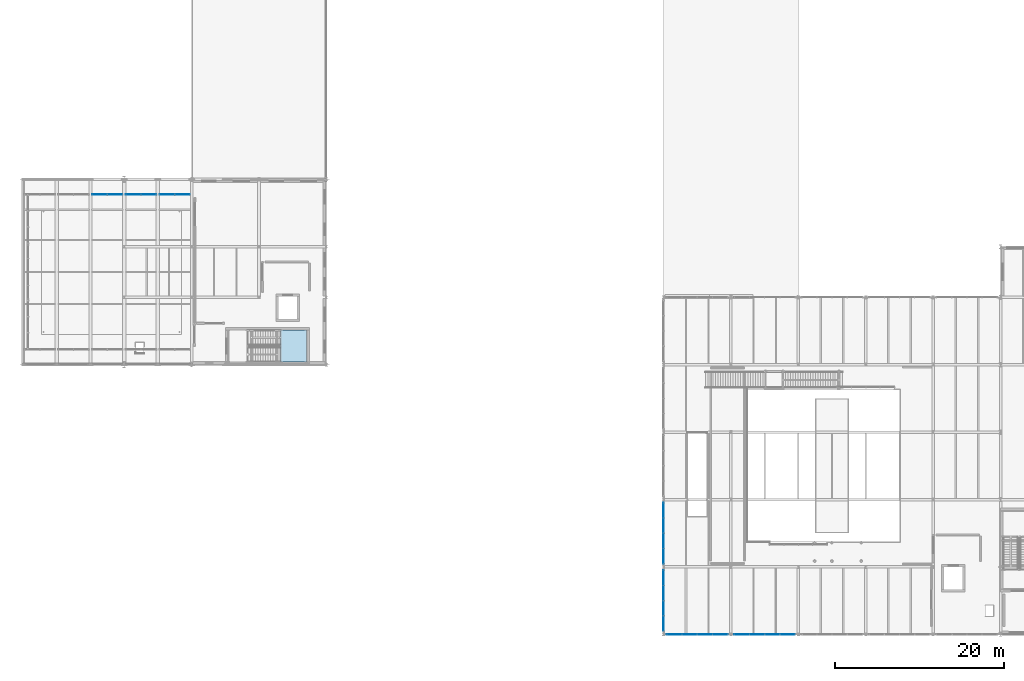
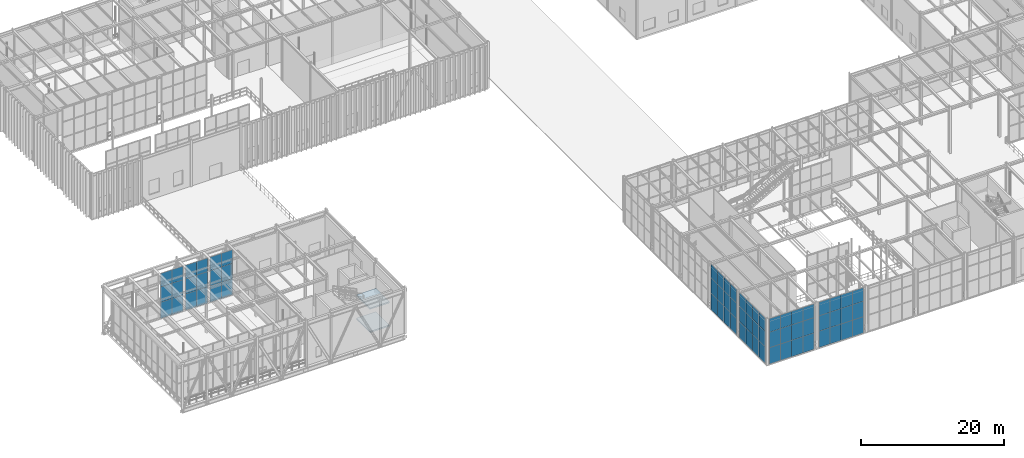
# One storey, part 74 of 138: 66 plates, 2 slabs, 8 elements without a shape of their own.
"""IFC4 building model written with IfcOpenShell, lengths in metres."""

from ifc_helpers import new_model, si_unit, direction, frame, origin, origin_2d, place, context, subcontext, project, spatial, polyline, rectangle, outline, extrude, material, layer, layer_set, type_object, element, aggregate, save


model = new_model("IFC4")

# Units and contexts
model_context = context("Model", 3, precision=1e-05, world=origin(), true_north=direction((0.0, 1.0)))
body_context = subcontext(model_context, "Body", "Model", "MODEL_VIEW")
ifc_project = project(units=[si_unit("LENGTHUNIT", "METRE"), si_unit("AREAUNIT", "SQUARE_METRE"), si_unit("VOLUMEUNIT", "CUBIC_METRE"), si_unit("PLANEANGLEUNIT", "RADIAN"), si_unit("MASSUNIT", "GRAM", prefix="KILO")], contexts=[model_context])

# Site, building, storey
site_placement = place(None, origin())
site = spatial("IfcSite", under=ifc_project, at=site_placement, CompositionType="ELEMENT")
building_placement = place(site_placement, origin())
building = spatial("IfcBuilding", under=site, at=building_placement, Name="Sundkrona Museum", CompositionType="ELEMENT")
storey_placement = place(building_placement, frame((0.0, 0.0, 9.60009765625)))
storey = spatial("IfcBuildingStorey", under=building, at=storey_placement, Name="L02", CompositionType="ELEMENT", Elevation=9.60009765625)

# Curtain wall, plates
ifc_material_1 = material(Name="Unitised Aluminium-Steel and Ceramic-Clad Curtain Walling", Category="steel")
curtain_wall_type_1 = type_object("IfcCurtainWallType", Name="CW-AT-72x74", PredefinedType="NOTDEFINED", material=ifc_material_1)
curtain_wall_1_placement = place(storey_placement, origin())
curtain_wall_1 = element("IfcCurtainWall", 1, at=curtain_wall_1_placement, inside=storey, type_object=curtain_wall_type_1, Name="L02 Curtain Wall CW-L02-043", PredefinedType="NOTDEFINED")
ifc_material_2 = material(Name="Triple Low-E Vision Glazing 32 mm", Category="glass")
ifc_layer_1 = layer(ifc_material_2, 0.031982421875)
ifc_layer_set_1 = layer_set([ifc_layer_1], Name="Triple Low-E Vision Glazing 32 mm")
plate_type = type_object("IfcPlateType", Name="PN-GL-01", PredefinedType="CURTAIN_PANEL", material=ifc_layer_set_1)
plate_1_placement = place(storey_placement, frame((81.300048828125, 0.0, -0.004150390625), z_axis=(0.0, 0.0, 1.0), x_axis=(1.0, 0.0, 0.0)))
plate_1 = element("IfcPlate", 2, at=plate_1_placement, type_object=plate_type, Name="CW-L02-043 Panel 01", PredefinedType="CURTAIN_PANEL", context=body_context, shape_type="SweptSolid", body=[
    extrude(rectangle(XDim=1.800048828125, YDim=0.031982421875, at=origin_2d()), origin(), (0.0, 0.0, 1.0), 2.7900390625),
])
plate_2_placement = place(storey_placement, frame((81.300048828125, 0.0, 2.78564453125), z_axis=(0.0, 0.0, 1.0), x_axis=(1.0, 0.0, 0.0)))
plate_2 = element("IfcPlate", 3, at=plate_2_placement, type_object=plate_type, Name="CW-L02-043 Panel 02", PredefinedType="CURTAIN_PANEL", context=body_context, shape_type="SweptSolid", body=[
    extrude(rectangle(XDim=1.800048828125, YDim=0.031982421875, at=origin_2d()), origin(), (0.0, 0.0, 1.0), 2.632080078125),
])
plate_3_placement = place(storey_placement, frame((81.300048828125, 0.0, 5.41796875), z_axis=(0.0, 0.0, 1.0), x_axis=(1.0, 0.0, 0.0)))
plate_3 = element("IfcPlate", 4, at=plate_3_placement, type_object=plate_type, Name="CW-L02-043 Panel 03", PredefinedType="CURTAIN_PANEL", context=body_context, shape_type="SweptSolid", body=[
    extrude(rectangle(XDim=1.800048828125, YDim=0.031982421875, at=origin_2d()), origin(), (0.0, 0.0, 1.0), 2.325927734375),
])
plate_4_placement = place(storey_placement, frame((83.10009765625, 0.0, -0.004150390625), z_axis=(0.0, 0.0, 1.0), x_axis=(1.0, 0.0, 0.0)))
plate_4 = element("IfcPlate", 5, at=plate_4_placement, type_object=plate_type, Name="CW-L02-043 Panel 04", PredefinedType="CURTAIN_PANEL", context=body_context, shape_type="SweptSolid", body=[
    extrude(rectangle(XDim=1.800048828125, YDim=0.031982421875, at=origin_2d()), origin(), (0.0, 0.0, 1.0), 2.7900390625),
])
plate_5_placement = place(storey_placement, frame((83.10009765625, 0.0, 2.78564453125), z_axis=(0.0, 0.0, 1.0), x_axis=(1.0, 0.0, 0.0)))
plate_5 = element("IfcPlate", 6, at=plate_5_placement, type_object=plate_type, Name="CW-L02-043 Panel 05", PredefinedType="CURTAIN_PANEL", context=body_context, shape_type="SweptSolid", body=[
    extrude(rectangle(XDim=1.800048828125, YDim=0.031982421875, at=origin_2d()), origin(), (0.0, 0.0, 1.0), 2.632080078125),
])
plate_6_placement = place(storey_placement, frame((83.10009765625, 0.0, 5.41796875), z_axis=(0.0, 0.0, 1.0), x_axis=(1.0, 0.0, 0.0)))
plate_6 = element("IfcPlate", 7, at=plate_6_placement, type_object=plate_type, Name="CW-L02-043 Panel 06", PredefinedType="CURTAIN_PANEL", context=body_context, shape_type="SweptSolid", body=[
    extrude(rectangle(XDim=1.800048828125, YDim=0.031982421875, at=origin_2d()), origin(), (0.0, 0.0, 1.0), 2.325927734375),
])
plate_7_placement = place(storey_placement, frame((84.89990234375, 0.0, -0.004150390625), z_axis=(0.0, 0.0, 1.0), x_axis=(1.0, 0.0, 0.0)))
plate_7 = element("IfcPlate", 8, at=plate_7_placement, type_object=plate_type, Name="CW-L02-043 Panel 07", PredefinedType="CURTAIN_PANEL", context=body_context, shape_type="SweptSolid", body=[
    extrude(rectangle(XDim=1.800048828125, YDim=0.031982421875, at=origin_2d()), origin(), (0.0, 0.0, 1.0), 2.7900390625),
])
plate_8_placement = place(storey_placement, frame((84.89990234375, 0.0, 2.78564453125), z_axis=(0.0, 0.0, 1.0), x_axis=(1.0, 0.0, 0.0)))
plate_8 = element("IfcPlate", 9, at=plate_8_placement, type_object=plate_type, Name="CW-L02-043 Panel 08", PredefinedType="CURTAIN_PANEL", context=body_context, shape_type="SweptSolid", body=[
    extrude(rectangle(XDim=1.800048828125, YDim=0.031982421875, at=origin_2d()), origin(), (0.0, 0.0, 1.0), 2.632080078125),
])
plate_9_placement = place(storey_placement, frame((84.89990234375, 0.0, 5.41796875), z_axis=(0.0, 0.0, 1.0), x_axis=(1.0, 0.0, 0.0)))
plate_9 = element("IfcPlate", 10, at=plate_9_placement, type_object=plate_type, Name="CW-L02-043 Panel 09", PredefinedType="CURTAIN_PANEL", context=body_context, shape_type="SweptSolid", body=[
    extrude(rectangle(XDim=1.800048828125, YDim=0.031982421875, at=origin_2d()), origin(), (0.0, 0.0, 1.0), 2.325927734375),
])
plate_10_placement = place(storey_placement, frame((86.699951171875, 0.0, -0.004150390625), z_axis=(0.0, 0.0, 1.0), x_axis=(1.0, 0.0, 0.0)))
plate_10 = element("IfcPlate", 11, at=plate_10_placement, type_object=plate_type, Name="CW-L02-043 Panel 10", PredefinedType="CURTAIN_PANEL", context=body_context, shape_type="SweptSolid", body=[
    extrude(rectangle(XDim=1.800048828125, YDim=0.031982421875, at=origin_2d()), origin(), (0.0, 0.0, 1.0), 2.7900390625),
])
plate_11_placement = place(storey_placement, frame((86.699951171875, 0.0, 2.78564453125), z_axis=(0.0, 0.0, 1.0), x_axis=(1.0, 0.0, 0.0)))
plate_11 = element("IfcPlate", 12, at=plate_11_placement, type_object=plate_type, Name="CW-L02-043 Panel 11", PredefinedType="CURTAIN_PANEL", context=body_context, shape_type="SweptSolid", body=[
    extrude(rectangle(XDim=1.800048828125, YDim=0.031982421875, at=origin_2d()), origin(), (0.0, 0.0, 1.0), 2.632080078125),
])
plate_12_placement = place(storey_placement, frame((86.699951171875, 0.0, 5.41796875), z_axis=(0.0, 0.0, 1.0), x_axis=(1.0, 0.0, 0.0)))
plate_12 = element("IfcPlate", 13, at=plate_12_placement, type_object=plate_type, Name="CW-L02-043 Panel 12", PredefinedType="CURTAIN_PANEL", context=body_context, shape_type="SweptSolid", body=[
    extrude(rectangle(XDim=1.800048828125, YDim=0.031982421875, at=origin_2d()), origin(), (0.0, 0.0, 1.0), 2.325927734375),
])
aggregate(curtain_wall_1, [plate_1, plate_2, plate_3, plate_4, plate_5, plate_6, plate_7, plate_8, plate_9, plate_10, plate_11, plate_12])

curtain_wall_2_placement = place(storey_placement, origin())
curtain_wall_2 = element("IfcCurtainWall", 14, at=curtain_wall_2_placement, inside=storey, type_object=curtain_wall_type_1, Name="L02 Curtain Wall CW-L02-044", PredefinedType="NOTDEFINED")
plate_13_placement = place(storey_placement, frame((89.300048828125, 0.0, -0.004150390625), z_axis=(0.0, 0.0, 1.0), x_axis=(1.0, 0.0, 0.0)))
plate_13 = element("IfcPlate", 15, at=plate_13_placement, type_object=plate_type, Name="CW-L02-044 Panel 01", PredefinedType="CURTAIN_PANEL", context=body_context, shape_type="SweptSolid", body=[
    extrude(rectangle(XDim=1.800048828125, YDim=0.031982421875, at=origin_2d()), origin(), (0.0, 0.0, 1.0), 2.7900390625),
])
plate_14_placement = place(storey_placement, frame((89.300048828125, 0.0, 2.78564453125), z_axis=(0.0, 0.0, 1.0), x_axis=(1.0, 0.0, 0.0)))
plate_14 = element("IfcPlate", 16, at=plate_14_placement, type_object=plate_type, Name="CW-L02-044 Panel 02", PredefinedType="CURTAIN_PANEL", context=body_context, shape_type="SweptSolid", body=[
    extrude(rectangle(XDim=1.800048828125, YDim=0.031982421875, at=origin_2d()), origin(), (0.0, 0.0, 1.0), 2.632080078125),
])
plate_15_placement = place(storey_placement, frame((89.300048828125, 0.0, 5.41796875), z_axis=(0.0, 0.0, 1.0), x_axis=(1.0, 0.0, 0.0)))
plate_15 = element("IfcPlate", 17, at=plate_15_placement, type_object=plate_type, Name="CW-L02-044 Panel 03", PredefinedType="CURTAIN_PANEL", context=body_context, shape_type="SweptSolid", body=[
    extrude(rectangle(XDim=1.800048828125, YDim=0.031982421875, at=origin_2d()), origin(), (0.0, 0.0, 1.0), 2.325927734375),
])
plate_16_placement = place(storey_placement, frame((91.10009765625, 0.0, -0.004150390625), z_axis=(0.0, 0.0, 1.0), x_axis=(1.0, 0.0, 0.0)))
plate_16 = element("IfcPlate", 18, at=plate_16_placement, type_object=plate_type, Name="CW-L02-044 Panel 04", PredefinedType="CURTAIN_PANEL", context=body_context, shape_type="SweptSolid", body=[
    extrude(rectangle(XDim=1.800048828125, YDim=0.031982421875, at=origin_2d()), origin(), (0.0, 0.0, 1.0), 2.7900390625),
])
plate_17_placement = place(storey_placement, frame((91.10009765625, 0.0, 2.78564453125), z_axis=(0.0, 0.0, 1.0), x_axis=(1.0, 0.0, 0.0)))
plate_17 = element("IfcPlate", 19, at=plate_17_placement, type_object=plate_type, Name="CW-L02-044 Panel 05", PredefinedType="CURTAIN_PANEL", context=body_context, shape_type="SweptSolid", body=[
    extrude(rectangle(XDim=1.800048828125, YDim=0.031982421875, at=origin_2d()), origin(), (0.0, 0.0, 1.0), 2.632080078125),
])
plate_18_placement = place(storey_placement, frame((91.10009765625, 0.0, 5.41796875), z_axis=(0.0, 0.0, 1.0), x_axis=(1.0, 0.0, 0.0)))
plate_18 = element("IfcPlate", 20, at=plate_18_placement, type_object=plate_type, Name="CW-L02-044 Panel 06", PredefinedType="CURTAIN_PANEL", context=body_context, shape_type="SweptSolid", body=[
    extrude(rectangle(XDim=1.800048828125, YDim=0.031982421875, at=origin_2d()), origin(), (0.0, 0.0, 1.0), 2.325927734375),
])
plate_19_placement = place(storey_placement, frame((92.89990234375, 0.0, -0.004150390625), z_axis=(0.0, 0.0, 1.0), x_axis=(1.0, 0.0, 0.0)))
plate_19 = element("IfcPlate", 21, at=plate_19_placement, type_object=plate_type, Name="CW-L02-044 Panel 07", PredefinedType="CURTAIN_PANEL", context=body_context, shape_type="SweptSolid", body=[
    extrude(rectangle(XDim=1.800048828125, YDim=0.031982421875, at=origin_2d()), origin(), (0.0, 0.0, 1.0), 2.7900390625),
])
plate_20_placement = place(storey_placement, frame((92.89990234375, 0.0, 2.78564453125), z_axis=(0.0, 0.0, 1.0), x_axis=(1.0, 0.0, 0.0)))
plate_20 = element("IfcPlate", 22, at=plate_20_placement, type_object=plate_type, Name="CW-L02-044 Panel 08", PredefinedType="CURTAIN_PANEL", context=body_context, shape_type="SweptSolid", body=[
    extrude(rectangle(XDim=1.800048828125, YDim=0.031982421875, at=origin_2d()), origin(), (0.0, 0.0, 1.0), 2.632080078125),
])
plate_21_placement = place(storey_placement, frame((92.89990234375, 0.0, 5.41796875), z_axis=(0.0, 0.0, 1.0), x_axis=(1.0, 0.0, 0.0)))
plate_21 = element("IfcPlate", 23, at=plate_21_placement, type_object=plate_type, Name="CW-L02-044 Panel 09", PredefinedType="CURTAIN_PANEL", context=body_context, shape_type="SweptSolid", body=[
    extrude(rectangle(XDim=1.800048828125, YDim=0.031982421875, at=origin_2d()), origin(), (0.0, 0.0, 1.0), 2.325927734375),
])
plate_22_placement = place(storey_placement, frame((94.699951171875, 0.0, -0.004150390625), z_axis=(0.0, 0.0, 1.0), x_axis=(1.0, 0.0, 0.0)))
plate_22 = element("IfcPlate", 24, at=plate_22_placement, type_object=plate_type, Name="CW-L02-044 Panel 10", PredefinedType="CURTAIN_PANEL", context=body_context, shape_type="SweptSolid", body=[
    extrude(rectangle(XDim=1.800048828125, YDim=0.031982421875, at=origin_2d()), origin(), (0.0, 0.0, 1.0), 2.7900390625),
])
plate_23_placement = place(storey_placement, frame((94.699951171875, 0.0, 2.78564453125), z_axis=(0.0, 0.0, 1.0), x_axis=(1.0, 0.0, 0.0)))
plate_23 = element("IfcPlate", 25, at=plate_23_placement, type_object=plate_type, Name="CW-L02-044 Panel 11", PredefinedType="CURTAIN_PANEL", context=body_context, shape_type="SweptSolid", body=[
    extrude(rectangle(XDim=1.800048828125, YDim=0.031982421875, at=origin_2d()), origin(), (0.0, 0.0, 1.0), 2.632080078125),
])
plate_24_placement = place(storey_placement, frame((94.699951171875, 0.0, 5.41796875), z_axis=(0.0, 0.0, 1.0), x_axis=(1.0, 0.0, 0.0)))
plate_24 = element("IfcPlate", 26, at=plate_24_placement, type_object=plate_type, Name="CW-L02-044 Panel 12", PredefinedType="CURTAIN_PANEL", context=body_context, shape_type="SweptSolid", body=[
    extrude(rectangle(XDim=1.800048828125, YDim=0.031982421875, at=origin_2d()), origin(), (0.0, 0.0, 1.0), 2.325927734375),
])
aggregate(curtain_wall_2, [plate_13, plate_14, plate_15, plate_16, plate_17, plate_18, plate_19, plate_20, plate_21, plate_22, plate_23, plate_24])

curtain_wall_3_placement = place(storey_placement, origin())
curtain_wall_3 = element("IfcCurtainWall", 27, at=curtain_wall_3_placement, inside=storey, type_object=curtain_wall_type_1, Name="L02 Curtain Wall CW-L02-048", PredefinedType="NOTDEFINED")
plate_25_placement = place(storey_placement, frame((80.0, 1.300048828125, -0.004150390625), z_axis=(0.0, 0.0, 1.0), x_axis=(0.0, 1.0, 0.0)))
plate_25 = element("IfcPlate", 28, at=plate_25_placement, type_object=plate_type, Name="CW-L02-048 Panel 01", PredefinedType="CURTAIN_PANEL", context=body_context, shape_type="SweptSolid", body=[
    extrude(rectangle(XDim=1.800048828125, YDim=0.031982421875, at=origin_2d()), origin(), (0.0, 0.0, 1.0), 2.7900390625),
])
plate_26_placement = place(storey_placement, frame((80.0, 1.300048828125, 2.78564453125), z_axis=(0.0, 0.0, 1.0), x_axis=(0.0, 1.0, 0.0)))
plate_26 = element("IfcPlate", 29, at=plate_26_placement, type_object=plate_type, Name="CW-L02-048 Panel 02", PredefinedType="CURTAIN_PANEL", context=body_context, shape_type="SweptSolid", body=[
    extrude(rectangle(XDim=1.800048828125, YDim=0.031982421875, at=origin_2d()), origin(), (0.0, 0.0, 1.0), 2.632080078125),
])
plate_27_placement = place(storey_placement, frame((80.0, 1.300048828125, 5.41796875), z_axis=(0.0, 0.0, 1.0), x_axis=(0.0, 1.0, 0.0)))
plate_27 = element("IfcPlate", 30, at=plate_27_placement, type_object=plate_type, Name="CW-L02-048 Panel 03", PredefinedType="CURTAIN_PANEL", context=body_context, shape_type="SweptSolid", body=[
    extrude(rectangle(XDim=1.800048828125, YDim=0.031982421875, at=origin_2d()), origin(), (0.0, 0.0, 1.0), 2.325927734375),
])
plate_28_placement = place(storey_placement, frame((80.0, 3.10009765625, -0.004150390625), z_axis=(0.0, 0.0, 1.0), x_axis=(0.0, 1.0, 0.0)))
plate_28 = element("IfcPlate", 31, at=plate_28_placement, type_object=plate_type, Name="CW-L02-048 Panel 04", PredefinedType="CURTAIN_PANEL", context=body_context, shape_type="SweptSolid", body=[
    extrude(rectangle(XDim=1.800048828125, YDim=0.031982421875, at=origin_2d()), origin(), (0.0, 0.0, 1.0), 2.7900390625),
])
plate_29_placement = place(storey_placement, frame((80.0, 3.10009765625, 2.78564453125), z_axis=(0.0, 0.0, 1.0), x_axis=(0.0, 1.0, 0.0)))
plate_29 = element("IfcPlate", 32, at=plate_29_placement, type_object=plate_type, Name="CW-L02-048 Panel 05", PredefinedType="CURTAIN_PANEL", context=body_context, shape_type="SweptSolid", body=[
    extrude(rectangle(XDim=1.800048828125, YDim=0.031982421875, at=origin_2d()), origin(), (0.0, 0.0, 1.0), 2.632080078125),
])
plate_30_placement = place(storey_placement, frame((80.0, 3.10009765625, 5.41796875), z_axis=(0.0, 0.0, 1.0), x_axis=(0.0, 1.0, 0.0)))
plate_30 = element("IfcPlate", 33, at=plate_30_placement, type_object=plate_type, Name="CW-L02-048 Panel 06", PredefinedType="CURTAIN_PANEL", context=body_context, shape_type="SweptSolid", body=[
    extrude(rectangle(XDim=1.800048828125, YDim=0.031982421875, at=origin_2d()), origin(), (0.0, 0.0, 1.0), 2.325927734375),
])
plate_31_placement = place(storey_placement, frame((80.0, 4.89990234375, -0.004150390625), z_axis=(0.0, 0.0, 1.0), x_axis=(0.0, 1.0, 0.0)))
plate_31 = element("IfcPlate", 34, at=plate_31_placement, type_object=plate_type, Name="CW-L02-048 Panel 07", PredefinedType="CURTAIN_PANEL", context=body_context, shape_type="SweptSolid", body=[
    extrude(rectangle(XDim=1.800048828125, YDim=0.031982421875, at=origin_2d()), origin(), (0.0, 0.0, 1.0), 2.7900390625),
])
plate_32_placement = place(storey_placement, frame((80.0, 4.89990234375, 2.78564453125), z_axis=(0.0, 0.0, 1.0), x_axis=(0.0, 1.0, 0.0)))
plate_32 = element("IfcPlate", 35, at=plate_32_placement, type_object=plate_type, Name="CW-L02-048 Panel 08", PredefinedType="CURTAIN_PANEL", context=body_context, shape_type="SweptSolid", body=[
    extrude(rectangle(XDim=1.800048828125, YDim=0.031982421875, at=origin_2d()), origin(), (0.0, 0.0, 1.0), 2.632080078125),
])
plate_33_placement = place(storey_placement, frame((80.0, 4.89990234375, 5.41796875), z_axis=(0.0, 0.0, 1.0), x_axis=(0.0, 1.0, 0.0)))
plate_33 = element("IfcPlate", 36, at=plate_33_placement, type_object=plate_type, Name="CW-L02-048 Panel 09", PredefinedType="CURTAIN_PANEL", context=body_context, shape_type="SweptSolid", body=[
    extrude(rectangle(XDim=1.800048828125, YDim=0.031982421875, at=origin_2d()), origin(), (0.0, 0.0, 1.0), 2.325927734375),
])
plate_34_placement = place(storey_placement, frame((80.0, 6.699951171875, -0.004150390625), z_axis=(0.0, 0.0, 1.0), x_axis=(0.0, 1.0, 0.0)))
plate_34 = element("IfcPlate", 37, at=plate_34_placement, type_object=plate_type, Name="CW-L02-048 Panel 10", PredefinedType="CURTAIN_PANEL", context=body_context, shape_type="SweptSolid", body=[
    extrude(rectangle(XDim=1.800048828125, YDim=0.031982421875, at=origin_2d()), origin(), (0.0, 0.0, 1.0), 2.7900390625),
])
plate_35_placement = place(storey_placement, frame((80.0, 6.699951171875, 2.78564453125), z_axis=(0.0, 0.0, 1.0), x_axis=(0.0, 1.0, 0.0)))
plate_35 = element("IfcPlate", 38, at=plate_35_placement, type_object=plate_type, Name="CW-L02-048 Panel 11", PredefinedType="CURTAIN_PANEL", context=body_context, shape_type="SweptSolid", body=[
    extrude(rectangle(XDim=1.800048828125, YDim=0.031982421875, at=origin_2d()), origin(), (0.0, 0.0, 1.0), 2.632080078125),
])
plate_36_placement = place(storey_placement, frame((80.0, 6.699951171875, 5.41796875), z_axis=(0.0, 0.0, 1.0), x_axis=(0.0, 1.0, 0.0)))
plate_36 = element("IfcPlate", 39, at=plate_36_placement, type_object=plate_type, Name="CW-L02-048 Panel 12", PredefinedType="CURTAIN_PANEL", context=body_context, shape_type="SweptSolid", body=[
    extrude(rectangle(XDim=1.800048828125, YDim=0.031982421875, at=origin_2d()), origin(), (0.0, 0.0, 1.0), 2.325927734375),
])
aggregate(curtain_wall_3, [plate_25, plate_26, plate_27, plate_28, plate_29, plate_30, plate_31, plate_32, plate_33, plate_34, plate_35, plate_36])

curtain_wall_4_placement = place(storey_placement, origin())
curtain_wall_4 = element("IfcCurtainWall", 40, at=curtain_wall_4_placement, inside=storey, type_object=curtain_wall_type_1, Name="L02 Curtain Wall CW-L02-049", PredefinedType="NOTDEFINED")
plate_37_placement = place(storey_placement, frame((80.0, 9.300048828125, -0.004150390625), z_axis=(0.0, 0.0, 1.0), x_axis=(0.0, 1.0, 0.0)))
plate_37 = element("IfcPlate", 41, at=plate_37_placement, type_object=plate_type, Name="CW-L02-049 Panel 01", PredefinedType="CURTAIN_PANEL", context=body_context, shape_type="SweptSolid", body=[
    extrude(rectangle(XDim=1.800048828125, YDim=0.031982421875, at=origin_2d()), origin(), (0.0, 0.0, 1.0), 2.7900390625),
])
plate_38_placement = place(storey_placement, frame((80.0, 9.300048828125, 2.78564453125), z_axis=(0.0, 0.0, 1.0), x_axis=(0.0, 1.0, 0.0)))
plate_38 = element("IfcPlate", 42, at=plate_38_placement, type_object=plate_type, Name="CW-L02-049 Panel 02", PredefinedType="CURTAIN_PANEL", context=body_context, shape_type="SweptSolid", body=[
    extrude(rectangle(XDim=1.800048828125, YDim=0.031982421875, at=origin_2d()), origin(), (0.0, 0.0, 1.0), 2.632080078125),
])
plate_39_placement = place(storey_placement, frame((80.0, 9.300048828125, 5.41796875), z_axis=(0.0, 0.0, 1.0), x_axis=(0.0, 1.0, 0.0)))
plate_39 = element("IfcPlate", 43, at=plate_39_placement, type_object=plate_type, Name="CW-L02-049 Panel 03", PredefinedType="CURTAIN_PANEL", context=body_context, shape_type="SweptSolid", body=[
    extrude(rectangle(XDim=1.800048828125, YDim=0.031982421875, at=origin_2d()), origin(), (0.0, 0.0, 1.0), 2.325927734375),
])
plate_40_placement = place(storey_placement, frame((80.0, 11.10009765625, -0.004150390625), z_axis=(0.0, 0.0, 1.0), x_axis=(0.0, 1.0, 0.0)))
plate_40 = element("IfcPlate", 44, at=plate_40_placement, type_object=plate_type, Name="CW-L02-049 Panel 04", PredefinedType="CURTAIN_PANEL", context=body_context, shape_type="SweptSolid", body=[
    extrude(rectangle(XDim=1.800048828125, YDim=0.031982421875, at=origin_2d()), origin(), (0.0, 0.0, 1.0), 2.7900390625),
])
plate_41_placement = place(storey_placement, frame((80.0, 11.10009765625, 2.78564453125), z_axis=(0.0, 0.0, 1.0), x_axis=(0.0, 1.0, 0.0)))
plate_41 = element("IfcPlate", 45, at=plate_41_placement, type_object=plate_type, Name="CW-L02-049 Panel 05", PredefinedType="CURTAIN_PANEL", context=body_context, shape_type="SweptSolid", body=[
    extrude(rectangle(XDim=1.800048828125, YDim=0.031982421875, at=origin_2d()), origin(), (0.0, 0.0, 1.0), 2.632080078125),
])
plate_42_placement = place(storey_placement, frame((80.0, 11.10009765625, 5.41796875), z_axis=(0.0, 0.0, 1.0), x_axis=(0.0, 1.0, 0.0)))
plate_42 = element("IfcPlate", 46, at=plate_42_placement, type_object=plate_type, Name="CW-L02-049 Panel 06", PredefinedType="CURTAIN_PANEL", context=body_context, shape_type="SweptSolid", body=[
    extrude(rectangle(XDim=1.800048828125, YDim=0.031982421875, at=origin_2d()), origin(), (0.0, 0.0, 1.0), 2.325927734375),
])
plate_43_placement = place(storey_placement, frame((80.0, 12.89990234375, -0.004150390625), z_axis=(0.0, 0.0, 1.0), x_axis=(0.0, 1.0, 0.0)))
plate_43 = element("IfcPlate", 47, at=plate_43_placement, type_object=plate_type, Name="CW-L02-049 Panel 07", PredefinedType="CURTAIN_PANEL", context=body_context, shape_type="SweptSolid", body=[
    extrude(rectangle(XDim=1.800048828125, YDim=0.031982421875, at=origin_2d()), origin(), (0.0, 0.0, 1.0), 2.7900390625),
])
plate_44_placement = place(storey_placement, frame((80.0, 12.89990234375, 2.78564453125), z_axis=(0.0, 0.0, 1.0), x_axis=(0.0, 1.0, 0.0)))
plate_44 = element("IfcPlate", 48, at=plate_44_placement, type_object=plate_type, Name="CW-L02-049 Panel 08", PredefinedType="CURTAIN_PANEL", context=body_context, shape_type="SweptSolid", body=[
    extrude(rectangle(XDim=1.800048828125, YDim=0.031982421875, at=origin_2d()), origin(), (0.0, 0.0, 1.0), 2.632080078125),
])
plate_45_placement = place(storey_placement, frame((80.0, 12.89990234375, 5.41796875), z_axis=(0.0, 0.0, 1.0), x_axis=(0.0, 1.0, 0.0)))
plate_45 = element("IfcPlate", 49, at=plate_45_placement, type_object=plate_type, Name="CW-L02-049 Panel 09", PredefinedType="CURTAIN_PANEL", context=body_context, shape_type="SweptSolid", body=[
    extrude(rectangle(XDim=1.800048828125, YDim=0.031982421875, at=origin_2d()), origin(), (0.0, 0.0, 1.0), 2.325927734375),
])
plate_46_placement = place(storey_placement, frame((80.0, 14.699951171875, -0.004150390625), z_axis=(0.0, 0.0, 1.0), x_axis=(0.0, 1.0, 0.0)))
plate_46 = element("IfcPlate", 50, at=plate_46_placement, type_object=plate_type, Name="CW-L02-049 Panel 10", PredefinedType="CURTAIN_PANEL", context=body_context, shape_type="SweptSolid", body=[
    extrude(rectangle(XDim=1.800048828125, YDim=0.031982421875, at=origin_2d()), origin(), (0.0, 0.0, 1.0), 2.7900390625),
])
plate_47_placement = place(storey_placement, frame((80.0, 14.699951171875, 2.78564453125), z_axis=(0.0, 0.0, 1.0), x_axis=(0.0, 1.0, 0.0)))
plate_47 = element("IfcPlate", 51, at=plate_47_placement, type_object=plate_type, Name="CW-L02-049 Panel 11", PredefinedType="CURTAIN_PANEL", context=body_context, shape_type="SweptSolid", body=[
    extrude(rectangle(XDim=1.800048828125, YDim=0.031982421875, at=origin_2d()), origin(), (0.0, 0.0, 1.0), 2.632080078125),
])
plate_48_placement = place(storey_placement, frame((80.0, 14.699951171875, 5.41796875), z_axis=(0.0, 0.0, 1.0), x_axis=(0.0, 1.0, 0.0)))
plate_48 = element("IfcPlate", 52, at=plate_48_placement, type_object=plate_type, Name="CW-L02-049 Panel 12", PredefinedType="CURTAIN_PANEL", context=body_context, shape_type="SweptSolid", body=[
    extrude(rectangle(XDim=1.800048828125, YDim=0.031982421875, at=origin_2d()), origin(), (0.0, 0.0, 1.0), 2.325927734375),
])
aggregate(curtain_wall_4, [plate_37, plate_38, plate_39, plate_40, plate_41, plate_42, plate_43, plate_44, plate_45, plate_46, plate_47, plate_48])

curtain_wall_type_2 = type_object("IfcCurtainWallType", Name="CW-CV-36x74", PredefinedType="NOTDEFINED", material=ifc_material_1)
curtain_wall_5_placement = place(storey_placement, origin())
curtain_wall_5 = element("IfcCurtainWall", 53, at=curtain_wall_5_placement, inside=storey, type_object=curtain_wall_type_2, Name="L02 Curtain Wall CW-L02-147", PredefinedType="NOTDEFINED")
plate_49_placement = place(storey_placement, frame((13.10009765625, 52.199951171875, -0.004150390625), z_axis=(0.0, 0.0, 1.0), x_axis=(1.0, 0.0, 0.0)))
plate_49 = element("IfcPlate", 54, at=plate_49_placement, type_object=plate_type, Name="CW-L02-147 Panel 01", PredefinedType="CURTAIN_PANEL", context=body_context, shape_type="SweptSolid", body=[
    extrude(rectangle(XDim=1.800048828125, YDim=0.031982421875, at=origin_2d()), origin(), (0.0, 0.0, 1.0), 2.76708984375),
])
plate_50_placement = place(storey_placement, frame((13.10009765625, 52.199951171875, 2.762939453125), z_axis=(0.0, 0.0, 1.0), x_axis=(1.0, 0.0, 0.0)))
plate_50 = element("IfcPlate", 55, at=plate_50_placement, type_object=plate_type, Name="CW-L02-147 Panel 02", PredefinedType="CURTAIN_PANEL", context=body_context, shape_type="SweptSolid", body=[
    extrude(rectangle(XDim=1.800048828125, YDim=0.031982421875, at=origin_2d()), origin(), (0.0, 0.0, 1.0), 2.60888671875),
])
plate_51_placement = place(storey_placement, frame((13.10009765625, 52.199951171875, 5.3720703125), z_axis=(0.0, 0.0, 1.0), x_axis=(1.0, 0.0, 0.0)))
plate_51 = element("IfcPlate", 56, at=plate_51_placement, type_object=plate_type, Name="CW-L02-147 Panel 03", PredefinedType="CURTAIN_PANEL", context=body_context, shape_type="SweptSolid", body=[
    extrude(rectangle(XDim=1.800048828125, YDim=0.031982421875, at=origin_2d()), origin(), (0.0, 0.0, 1.0), 2.306884765625),
])
plate_52_placement = place(storey_placement, frame((14.89990234375, 52.199951171875, -0.004150390625), z_axis=(0.0, 0.0, 1.0), x_axis=(1.0, 0.0, 0.0)))
plate_52 = element("IfcPlate", 57, at=plate_52_placement, type_object=plate_type, Name="CW-L02-147 Panel 04", PredefinedType="CURTAIN_PANEL", context=body_context, shape_type="SweptSolid", body=[
    extrude(rectangle(XDim=1.800048828125, YDim=0.031982421875, at=origin_2d()), origin(), (0.0, 0.0, 1.0), 2.76708984375),
])
plate_53_placement = place(storey_placement, frame((14.89990234375, 52.199951171875, 2.762939453125), z_axis=(0.0, 0.0, 1.0), x_axis=(1.0, 0.0, 0.0)))
plate_53 = element("IfcPlate", 58, at=plate_53_placement, type_object=plate_type, Name="CW-L02-147 Panel 05", PredefinedType="CURTAIN_PANEL", context=body_context, shape_type="SweptSolid", body=[
    extrude(rectangle(XDim=1.800048828125, YDim=0.031982421875, at=origin_2d()), origin(), (0.0, 0.0, 1.0), 2.60888671875),
])
plate_54_placement = place(storey_placement, frame((14.89990234375, 52.199951171875, 5.3720703125), z_axis=(0.0, 0.0, 1.0), x_axis=(1.0, 0.0, 0.0)))
plate_54 = element("IfcPlate", 59, at=plate_54_placement, type_object=plate_type, Name="CW-L02-147 Panel 06", PredefinedType="CURTAIN_PANEL", context=body_context, shape_type="SweptSolid", body=[
    extrude(rectangle(XDim=1.800048828125, YDim=0.031982421875, at=origin_2d()), origin(), (0.0, 0.0, 1.0), 2.306884765625),
])
aggregate(curtain_wall_5, [plate_49, plate_50, plate_51, plate_52, plate_53, plate_54])

curtain_wall_6_placement = place(storey_placement, origin())
curtain_wall_6 = element("IfcCurtainWall", 60, at=curtain_wall_6_placement, inside=storey, type_object=curtain_wall_type_2, Name="L02 Curtain Wall CW-L02-149", PredefinedType="NOTDEFINED")
plate_55_placement = place(storey_placement, frame((17.10009765625, 52.199951171875, -0.004150390625), z_axis=(0.0, 0.0, 1.0), x_axis=(1.0, 0.0, 0.0)))
plate_55 = element("IfcPlate", 61, at=plate_55_placement, type_object=plate_type, Name="CW-L02-149 Panel 01", PredefinedType="CURTAIN_PANEL", context=body_context, shape_type="SweptSolid", body=[
    extrude(rectangle(XDim=1.800048828125, YDim=0.031982421875, at=origin_2d()), origin(), (0.0, 0.0, 1.0), 2.76708984375),
])
plate_56_placement = place(storey_placement, frame((17.10009765625, 52.199951171875, 2.762939453125), z_axis=(0.0, 0.0, 1.0), x_axis=(1.0, 0.0, 0.0)))
plate_56 = element("IfcPlate", 62, at=plate_56_placement, type_object=plate_type, Name="CW-L02-149 Panel 02", PredefinedType="CURTAIN_PANEL", context=body_context, shape_type="SweptSolid", body=[
    extrude(rectangle(XDim=1.800048828125, YDim=0.031982421875, at=origin_2d()), origin(), (0.0, 0.0, 1.0), 2.60888671875),
])
plate_57_placement = place(storey_placement, frame((17.10009765625, 52.199951171875, 5.3720703125), z_axis=(0.0, 0.0, 1.0), x_axis=(1.0, 0.0, 0.0)))
plate_57 = element("IfcPlate", 63, at=plate_57_placement, type_object=plate_type, Name="CW-L02-149 Panel 03", PredefinedType="CURTAIN_PANEL", context=body_context, shape_type="SweptSolid", body=[
    extrude(rectangle(XDim=1.800048828125, YDim=0.031982421875, at=origin_2d()), origin(), (0.0, 0.0, 1.0), 2.306884765625),
])
plate_58_placement = place(storey_placement, frame((18.89990234375, 52.199951171875, -0.004150390625), z_axis=(0.0, 0.0, 1.0), x_axis=(1.0, 0.0, 0.0)))
plate_58 = element("IfcPlate", 64, at=plate_58_placement, type_object=plate_type, Name="CW-L02-149 Panel 04", PredefinedType="CURTAIN_PANEL", context=body_context, shape_type="SweptSolid", body=[
    extrude(rectangle(XDim=1.800048828125, YDim=0.031982421875, at=origin_2d()), origin(), (0.0, 0.0, 1.0), 2.76708984375),
])
plate_59_placement = place(storey_placement, frame((18.89990234375, 52.199951171875, 2.762939453125), z_axis=(0.0, 0.0, 1.0), x_axis=(1.0, 0.0, 0.0)))
plate_59 = element("IfcPlate", 65, at=plate_59_placement, type_object=plate_type, Name="CW-L02-149 Panel 05", PredefinedType="CURTAIN_PANEL", context=body_context, shape_type="SweptSolid", body=[
    extrude(rectangle(XDim=1.800048828125, YDim=0.031982421875, at=origin_2d()), origin(), (0.0, 0.0, 1.0), 2.60888671875),
])
plate_60_placement = place(storey_placement, frame((18.89990234375, 52.199951171875, 5.3720703125), z_axis=(0.0, 0.0, 1.0), x_axis=(1.0, 0.0, 0.0)))
plate_60 = element("IfcPlate", 66, at=plate_60_placement, type_object=plate_type, Name="CW-L02-149 Panel 06", PredefinedType="CURTAIN_PANEL", context=body_context, shape_type="SweptSolid", body=[
    extrude(rectangle(XDim=1.800048828125, YDim=0.031982421875, at=origin_2d()), origin(), (0.0, 0.0, 1.0), 2.306884765625),
])
aggregate(curtain_wall_6, [plate_55, plate_56, plate_57, plate_58, plate_59, plate_60])

curtain_wall_7_placement = place(storey_placement, origin())
curtain_wall_7 = element("IfcCurtainWall", 67, at=curtain_wall_7_placement, inside=storey, type_object=curtain_wall_type_2, Name="L02 Curtain Wall CW-L02-151", PredefinedType="NOTDEFINED")
plate_61_placement = place(storey_placement, frame((21.10009765625, 52.199951171875, -0.004150390625), z_axis=(0.0, 0.0, 1.0), x_axis=(1.0, 0.0, 0.0)))
plate_61 = element("IfcPlate", 68, at=plate_61_placement, type_object=plate_type, Name="CW-L02-151 Panel 01", PredefinedType="CURTAIN_PANEL", context=body_context, shape_type="SweptSolid", body=[
    extrude(rectangle(XDim=1.800048828125, YDim=0.031982421875, at=origin_2d()), origin(), (0.0, 0.0, 1.0), 2.76708984375),
])
plate_62_placement = place(storey_placement, frame((21.10009765625, 52.199951171875, 2.762939453125), z_axis=(0.0, 0.0, 1.0), x_axis=(1.0, 0.0, 0.0)))
plate_62 = element("IfcPlate", 69, at=plate_62_placement, type_object=plate_type, Name="CW-L02-151 Panel 02", PredefinedType="CURTAIN_PANEL", context=body_context, shape_type="SweptSolid", body=[
    extrude(rectangle(XDim=1.800048828125, YDim=0.031982421875, at=origin_2d()), origin(), (0.0, 0.0, 1.0), 2.60888671875),
])
plate_63_placement = place(storey_placement, frame((21.10009765625, 52.199951171875, 5.3720703125), z_axis=(0.0, 0.0, 1.0), x_axis=(1.0, 0.0, 0.0)))
plate_63 = element("IfcPlate", 70, at=plate_63_placement, type_object=plate_type, Name="CW-L02-151 Panel 03", PredefinedType="CURTAIN_PANEL", context=body_context, shape_type="SweptSolid", body=[
    extrude(rectangle(XDim=1.800048828125, YDim=0.031982421875, at=origin_2d()), origin(), (0.0, 0.0, 1.0), 2.306884765625),
])
plate_64_placement = place(storey_placement, frame((22.89990234375, 52.199951171875, -0.004150390625), z_axis=(0.0, 0.0, 1.0), x_axis=(1.0, 0.0, 0.0)))
plate_64 = element("IfcPlate", 71, at=plate_64_placement, type_object=plate_type, Name="CW-L02-151 Panel 04", PredefinedType="CURTAIN_PANEL", context=body_context, shape_type="SweptSolid", body=[
    extrude(rectangle(XDim=1.800048828125, YDim=0.031982421875, at=origin_2d()), origin(), (0.0, 0.0, 1.0), 2.76708984375),
])
plate_65_placement = place(storey_placement, frame((22.89990234375, 52.199951171875, 2.762939453125), z_axis=(0.0, 0.0, 1.0), x_axis=(1.0, 0.0, 0.0)))
plate_65 = element("IfcPlate", 72, at=plate_65_placement, type_object=plate_type, Name="CW-L02-151 Panel 05", PredefinedType="CURTAIN_PANEL", context=body_context, shape_type="SweptSolid", body=[
    extrude(rectangle(XDim=1.800048828125, YDim=0.031982421875, at=origin_2d()), origin(), (0.0, 0.0, 1.0), 2.60888671875),
])
plate_66_placement = place(storey_placement, frame((22.89990234375, 52.199951171875, 5.3720703125), z_axis=(0.0, 0.0, 1.0), x_axis=(1.0, 0.0, 0.0)))
plate_66 = element("IfcPlate", 73, at=plate_66_placement, type_object=plate_type, Name="CW-L02-151 Panel 06", PredefinedType="CURTAIN_PANEL", context=body_context, shape_type="SweptSolid", body=[
    extrude(rectangle(XDim=1.800048828125, YDim=0.031982421875, at=origin_2d()), origin(), (0.0, 0.0, 1.0), 2.306884765625),
])
aggregate(curtain_wall_7, [plate_61, plate_62, plate_63, plate_64, plate_65, plate_66])

# Stair, slabs
ifc_material_3 = material(Name="Concrete C35/45", Category="concrete")
stair_type = type_object("IfcStairType", Name="ST-DL-800", PredefinedType="HALF_TURN_STAIR", material=ifc_material_3)
stair_placement = place(storey_placement, origin())
stair = element("IfcStair", 74, at=stair_placement, inside=storey, type_object=stair_type, Name="L02 Protected Stair Core ST-4", PredefinedType="HALF_TURN_STAIR")
ifc_layer_2 = layer(ifc_material_3, 0.219970703125)
ifc_layer_set_2 = layer_set([ifc_layer_2], Name="Concrete C35/45")
slab_type = type_object("IfcSlabType", Name="SL-LN-220", PredefinedType="LANDING", material=ifc_layer_set_2)
slab_1_placement = place(storey_placement, frame((0.0, 0.0, 1.77978515625)))
slab_1 = element("IfcSlab", 75, at=slab_1_placement, type_object=slab_type, Name="L02 Protected Stair Core ST-4 Landing 1", PredefinedType="LANDING", context=body_context, shape_type="SweptSolid", body=[
    extrude(outline(polyline([(34.534912109375, 32.300048828125), (37.699951171875, 32.300048828125), (37.699951171875, 36.10009765625), (34.534912109375, 36.10009765625), (34.534912109375, 32.300048828125)])), origin(), (0.0, 0.0, 1.0), 0.22021484375),
])
slab_2_placement = place(storey_placement, frame((0.0, 0.0, 5.77978515625)))
slab_2 = element("IfcSlab", 76, at=slab_2_placement, type_object=slab_type, Name="L02 Protected Stair Core ST-4 Landing 3", PredefinedType="LANDING", context=body_context, shape_type="SweptSolid", body=[
    extrude(outline(polyline([(34.534912109375, 32.300048828125), (37.699951171875, 32.300048828125), (37.699951171875, 36.10009765625), (34.534912109375, 36.10009765625), (34.534912109375, 32.300048828125)])), origin(), (0.0, 0.0, 1.0), 0.22021484375),
])
aggregate(stair, [slab_1, slab_2])

save(model, "model.ifc")
